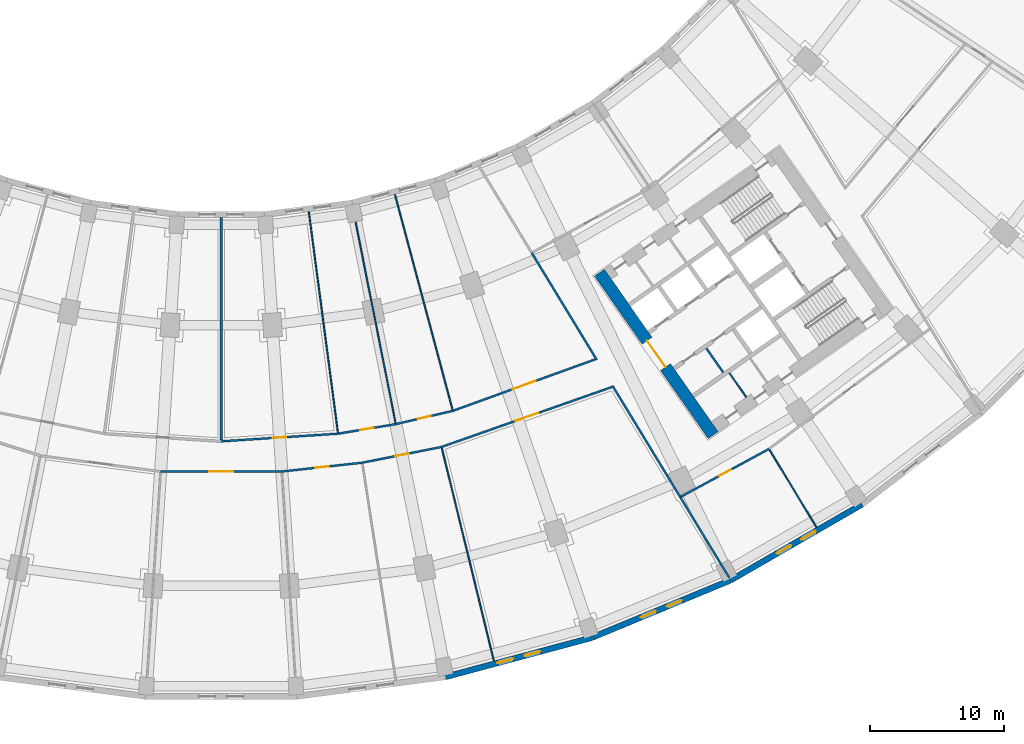
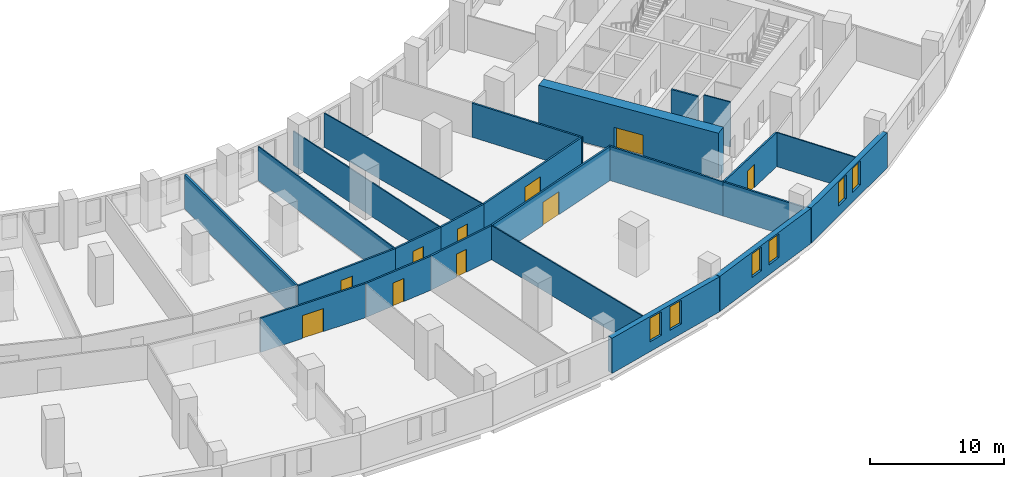
# One storey, part 9 of 20: 24 walls, 10 doors, 6 windows, 16 openings.
"""IFC4 building model written with IfcOpenShell, lengths in metres."""

from ifc_helpers import new_model, si_unit, direction, frame, frame_2d, origin, place, context, subcontext, project, spatial, rectangle, extrude, material, layer, layer_set, type_object, element, fill, save


model = new_model("IFC4")

# Units and contexts
model_context = context("Model", 3, precision=1e-05, world=origin(), true_north=direction((0.0, 1.0)))
body_context = subcontext(model_context, "Body", "Model", "MODEL_VIEW")
ifc_project = project(units=[si_unit("LENGTHUNIT", "METRE"), si_unit("AREAUNIT", "SQUARE_METRE"), si_unit("VOLUMEUNIT", "CUBIC_METRE"), si_unit("PLANEANGLEUNIT", "RADIAN"), si_unit("MASSUNIT", "GRAM", prefix="KILO")], contexts=[model_context])

# Site, building, storey
site_placement = place(None, origin())
site = spatial("IfcSite", under=ifc_project, at=site_placement, CompositionType="ELEMENT")
building_placement = place(site_placement, origin())
building = spatial("IfcBuilding", under=site, at=building_placement, Name="Qamariyya Broadcast Tower", CompositionType="ELEMENT")
storey_placement = place(building_placement, frame((0.0, 0.0, 27.0)))
storey = spatial("IfcBuildingStorey", under=building, at=storey_placement, Name="L03", CompositionType="ELEMENT", Elevation=27.0)

# Wall, opening, door
ifc_material_1 = material(Name="Concrete C70/85", Category="concrete")
ifc_layer_1 = layer(ifc_material_1, 0.89990234375)
ifc_layer_set_1 = layer_set([ifc_layer_1], Name="Core wall 900 mm Concrete C70/85")
wall_type_1 = type_object("IfcWallType", Name="Core wall 900 mm Concrete C70/85", PredefinedType="SHEAR", material=ifc_layer_set_1)
wall_1_placement = place(storey_placement, frame((36.716796875, -66.3369140625, 0.0), z_axis=(0.0, 0.0, 1.0), x_axis=(-0.573577477574, 0.819151315216, 0.0)))
wall_1 = element("IfcWall", 1, at=wall_1_placement, inside=storey, type_object=wall_type_1, Name="k-E-L03-WA", PredefinedType="SHEAR", context=body_context, shape_type="SweptSolid", body=[
    extrude(rectangle(XDim=14.800048828125, YDim=0.89990234375, at=frame_2d((7.39990234375, 0.0))), origin(), (0.0, 0.0, 1.0), 4.10009765625),
])
opening_1_placement = place(wall_1_placement, frame((6.199951171875, 0.0, 0.0)))
opening_1 = element("IfcOpeningElement", 2, at=opening_1_placement, cuts=wall_1, Name="Opening KD3-E1", PredefinedType="OPENING", context=body_context, shape_type="SweptSolid", body=[
    extrude(rectangle(XDim=2.39990234375, YDim=2.10009765625, at=frame_2d((1.199951171875, 1.050048828125))), frame((0.0, 0.4599609375, 0.0), z_axis=(0.0, -1.0, 0.0), x_axis=(1.0, 0.0, 0.0)), (0.0, 0.0, 1.0), 0.919921875),
])
ifc_material_2 = material(Name="Steel fire-resisting door leaf", Category="steel")
door_type_1 = type_object("IfcDoorType", Name="Lift lobby door KD3", OperationType="DOUBLE_DOOR_SINGLE_SWING", PredefinedType="DOOR", material=ifc_material_2)
door_1_placement = place(opening_1_placement, origin())
door_1 = element("IfcDoor", 3, at=door_1_placement, inside=storey, type_object=door_type_1, Name="k-E-L03-WA-D1", OperationType="DOUBLE_DOOR_SINGLE_SWING", OverallHeight=2.10009765625, OverallWidth=2.39990234375, PredefinedType="DOOR", context=body_context, shape_type="SweptSolid", body=[
    extrude(rectangle(XDim=2.39990234375, YDim=2.10009765625, at=frame_2d((1.199951171875, 1.050048828125))), frame((0.0, 0.02490234375, 0.0), z_axis=(0.0, -1.0, 0.0), x_axis=(1.0, 0.0, 0.0)), (0.0, 0.0, 1.0), 0.050048828125),
])
fill(opening_1, door_1)

ifc_material_3 = material(Name="Gypsum board partition")
ifc_layer_2 = layer(ifc_material_3, 0.14990234375)
ifc_layer_set_2 = layer_set([ifc_layer_2], Name="Corridor partition 150 EI 60")
wall_type_2 = type_object("IfcWallType", Name="Corridor partition 150 EI 60", PredefinedType="PARTITIONING", material=ifc_layer_set_2)
wall_2_placement = place(storey_placement, frame((4.52587890625, -69.0517578125, 0.0), z_axis=(0.0, 0.0, 1.0), x_axis=(-1.0, 0.0, 0.0)))
wall_2 = element("IfcWall", 4, at=wall_2_placement, inside=storey, type_object=wall_type_2, Name="Partition L03-033", PredefinedType="PARTITIONING", context=body_context, shape_type="SweptSolid", body=[
    extrude(rectangle(XDim=9.0517578125, YDim=0.14990234375, at=frame_2d((4.52587890625, 0.0))), origin(), (0.0, 0.0, 1.0), 3.10009765625),
])
opening_2_placement = place(wall_2_placement, frame((3.6259765625, 0.0, 0.0)))
opening_2 = element("IfcOpeningElement", 5, at=opening_2_placement, cuts=wall_2, Name="Opening L03-D04", PredefinedType="OPENING", context=body_context, shape_type="SweptSolid", body=[
    extrude(rectangle(XDim=1.800048828125, YDim=2.10009765625, at=frame_2d((0.89990234375, 1.050048828125))), frame((0.0, 0.0849609375, 0.0), z_axis=(0.0, -1.0, 0.0), x_axis=(1.0, 0.0, 0.0)), (0.0, 0.0, 1.0), 0.169921875),
])
ifc_material_4 = material(Name="Timber fire door leaf", Category="wood")
door_type_2 = type_object("IfcDoorType", Name="Double fire door 1800 x 2100 FD60", OperationType="NOTDEFINED", PredefinedType="DOOR", material=ifc_material_4)
door_2_placement = place(opening_2_placement, origin())
door_2 = element("IfcDoor", 6, at=door_2_placement, inside=storey, type_object=door_type_2, Name="Door L03-D04", OperationType="DOUBLE_DOOR_SINGLE_SWING", OverallHeight=2.10009765625, OverallWidth=1.800048828125, PredefinedType="DOOR", context=body_context, shape_type="SweptSolid", body=[
    extrude(rectangle(XDim=1.800048828125, YDim=2.10009765625, at=frame_2d((0.89990234375, 1.050048828125))), frame((0.0, 0.02490234375, 0.0), z_axis=(0.0, -1.0, 0.0), x_axis=(1.0, 0.0, 0.0)), (0.0, 0.0, 1.0), 0.050048828125),
])
fill(opening_2, door_2)

wall_3_placement = place(storey_placement, frame((0.0, -66.800048828125, 0.0), z_axis=(0.0, 0.0, 1.0), x_axis=(0.997858593599, 0.065408158359, 0.0)))
wall_3 = element("IfcWall", 7, at=wall_3_placement, inside=storey, type_object=wall_type_2, Name="Partition L03-034", PredefinedType="PARTITIONING", context=body_context, shape_type="SweptSolid", body=[
    extrude(rectangle(XDim=8.738037109375, YDim=0.14990234375, at=frame_2d((4.369140625, 0.0))), origin(), (0.0, 0.0, 1.0), 3.10009765625),
])
opening_3_placement = place(wall_3_placement, frame((3.868896484375, 0.0, 0.0)))
opening_3 = element("IfcOpeningElement", 8, at=opening_3_placement, cuts=wall_3, Name="Opening L03-D11", PredefinedType="OPENING", context=body_context, shape_type="SweptSolid", body=[
    extrude(rectangle(XDim=1.0, YDim=2.10009765625, at=frame_2d((0.5, 1.050048828125))), frame((0.0, 0.0849609375, 0.0), z_axis=(0.0, -1.0, 0.0), x_axis=(1.0, 0.0, 0.0)), (0.0, 0.0, 1.0), 0.169921875),
])
door_type_3 = type_object("IfcDoorType", Name="Fire door 1000 x 2100 FD60", OperationType="NOTDEFINED", PredefinedType="DOOR", material=ifc_material_4)
door_3_placement = place(opening_3_placement, origin())
door_3 = element("IfcDoor", 9, at=door_3_placement, inside=storey, type_object=door_type_3, Name="Door L03-D11", OperationType="SINGLE_SWING_RIGHT", OverallHeight=2.10009765625, OverallWidth=1.0, PredefinedType="DOOR", context=body_context, shape_type="SweptSolid", body=[
    extrude(rectangle(XDim=1.0, YDim=2.10009765625, at=frame_2d((0.5, 1.050048828125))), frame((0.0, 0.02490234375, 0.0), z_axis=(0.0, -1.0, 0.0), x_axis=(1.0, 0.0, 0.0)), (0.0, 0.0, 1.0), 0.050048828125),
])
fill(opening_3, door_3)

wall_4_placement = place(storey_placement, frame((10.52880859375, -68.394287109375, 0.0), z_axis=(0.0, 0.0, 1.0), x_axis=(-0.994055567966, -0.108873907782, 0.0)))
wall_4 = element("IfcWall", 10, at=wall_4_placement, inside=storey, type_object=wall_type_2, Name="Partition L03-036", PredefinedType="PARTITIONING", context=body_context, shape_type="SweptSolid", body=[
    extrude(rectangle(XDim=6.038818359375, YDim=0.14990234375, at=frame_2d((3.01953125, 0.0))), origin(), (0.0, 0.0, 1.0), 3.10009765625),
])
opening_4_placement = place(wall_4_placement, frame((2.51953125, 0.0, 0.0)))
opening_4 = element("IfcOpeningElement", 11, at=opening_4_placement, cuts=wall_4, Name="Opening L03-D05", PredefinedType="OPENING", context=body_context, shape_type="SweptSolid", body=[
    extrude(rectangle(XDim=1.0, YDim=2.10009765625, at=frame_2d((0.5, 1.050048828125))), frame((0.0, 0.0849609375, 0.0), z_axis=(0.0, -1.0, 0.0), x_axis=(1.0, 0.0, 0.0)), (0.0, 0.0, 1.0), 0.169921875),
])
door_4_placement = place(opening_4_placement, origin())
door_4 = element("IfcDoor", 12, at=door_4_placement, inside=storey, type_object=door_type_3, Name="Door L03-D05", OperationType="SINGLE_SWING_RIGHT", OverallHeight=2.10009765625, OverallWidth=1.0, PredefinedType="DOOR", context=body_context, shape_type="SweptSolid", body=[
    extrude(rectangle(XDim=1.0, YDim=2.10009765625, at=frame_2d((0.5, 1.050048828125))), frame((0.0, 0.02490234375, 0.0), z_axis=(0.0, -1.0, 0.0), x_axis=(1.0, 0.0, 0.0)), (0.0, 0.0, 1.0), 0.050048828125),
])
fill(opening_4, door_4)

wall_5_placement = place(storey_placement, frame((8.71923828125, -66.228515625, 0.0), z_axis=(0.0, 0.0, 1.0), x_axis=(0.986638873051, 0.162922479065, 0.0)))
wall_5 = element("IfcWall", 13, at=wall_5_placement, inside=storey, type_object=wall_type_2, Name="Partition L03-039", PredefinedType="PARTITIONING", context=body_context, shape_type="SweptSolid", body=[
    extrude(rectangle(XDim=4.37109375, YDim=0.14990234375, at=frame_2d((2.185546875, 0.0))), origin(), (0.0, 0.0, 1.0), 3.10009765625),
])
opening_5_placement = place(wall_5_placement, frame((1.685546875, 0.0, 0.0)))
opening_5 = element("IfcOpeningElement", 14, at=opening_5_placement, cuts=wall_5, Name="Opening L03-D12", PredefinedType="OPENING", context=body_context, shape_type="SweptSolid", body=[
    extrude(rectangle(XDim=1.0, YDim=2.10009765625, at=frame_2d((0.5, 1.050048828125))), frame((0.0, 0.0849609375, 0.0), z_axis=(0.0, -1.0, 0.0), x_axis=(1.0, 0.0, 0.0)), (0.0, 0.0, 1.0), 0.169921875),
])
door_5_placement = place(opening_5_placement, origin())
door_5 = element("IfcDoor", 15, at=door_5_placement, inside=storey, type_object=door_type_3, Name="Door L03-D12", OperationType="SINGLE_SWING_RIGHT", OverallHeight=2.10009765625, OverallWidth=1.0, PredefinedType="DOOR", context=body_context, shape_type="SweptSolid", body=[
    extrude(rectangle(XDim=1.0, YDim=2.10009765625, at=frame_2d((0.5, 1.050048828125))), frame((0.0, 0.02490234375, 0.0), z_axis=(0.0, -1.0, 0.0), x_axis=(1.0, 0.0, 0.0)), (0.0, 0.0, 1.0), 0.050048828125),
])
fill(opening_5, door_5)

wall_6_placement = place(storey_placement, frame((16.446044921875, -67.21728515625, 0.0), z_axis=(0.0, 0.0, 1.0), x_axis=(-0.980785582749, -0.195088802015, 0.0)))
wall_6 = element("IfcWall", 16, at=wall_6_placement, inside=storey, type_object=wall_type_2, Name="Partition L03-041", PredefinedType="PARTITIONING", context=body_context, shape_type="SweptSolid", body=[
    extrude(rectangle(XDim=6.033203125, YDim=0.14990234375, at=frame_2d((3.0166015625, 0.0))), origin(), (0.0, 0.0, 1.0), 3.10009765625),
])
opening_6_placement = place(wall_6_placement, frame((2.5166015625, 0.0, 0.0)))
opening_6 = element("IfcOpeningElement", 17, at=opening_6_placement, cuts=wall_6, Name="Opening L03-D06", PredefinedType="OPENING", context=body_context, shape_type="SweptSolid", body=[
    extrude(rectangle(XDim=1.0, YDim=2.10009765625, at=frame_2d((0.5, 1.050048828125))), frame((0.0, 0.0849609375, 0.0), z_axis=(0.0, -1.0, 0.0), x_axis=(1.0, 0.0, 0.0)), (0.0, 0.0, 1.0), 0.169921875),
])
door_6_placement = place(opening_6_placement, origin())
door_6 = element("IfcDoor", 18, at=door_6_placement, inside=storey, type_object=door_type_3, Name="Door L03-D06", OperationType="SINGLE_SWING_RIGHT", OverallHeight=2.10009765625, OverallWidth=1.0, PredefinedType="DOOR", context=body_context, shape_type="SweptSolid", body=[
    extrude(rectangle(XDim=1.0, YDim=2.10009765625, at=frame_2d((0.5, 1.050048828125))), frame((0.0, 0.02490234375, 0.0), z_axis=(0.0, -1.0, 0.0), x_axis=(1.0, 0.0, 0.0)), (0.0, 0.0, 1.0), 0.050048828125),
])
fill(opening_6, door_6)

wall_7_placement = place(storey_placement, frame((13.031982421875, -65.516357421875, 0.0), z_axis=(0.0, 0.0, 1.0), x_axis=(0.973886095728, 0.227037161159, 0.0)))
wall_7 = element("IfcWall", 19, at=wall_7_placement, inside=storey, type_object=wall_type_2, Name="Partition L03-043", PredefinedType="PARTITIONING", context=body_context, shape_type="SweptSolid", body=[
    extrude(rectangle(XDim=4.371337890625, YDim=0.14990234375, at=frame_2d((2.185546875, 0.0))), origin(), (0.0, 0.0, 1.0), 3.10009765625),
])
opening_7_placement = place(wall_7_placement, frame((1.685546875, 0.0, 0.0)))
opening_7 = element("IfcOpeningElement", 20, at=opening_7_placement, cuts=wall_7, Name="Opening L03-D13", PredefinedType="OPENING", context=body_context, shape_type="SweptSolid", body=[
    extrude(rectangle(XDim=1.0, YDim=2.10009765625, at=frame_2d((0.5, 1.050048828125))), frame((0.0, 0.0849609375, 0.0), z_axis=(0.0, -1.0, 0.0), x_axis=(1.0, 0.0, 0.0)), (0.0, 0.0, 1.0), 0.169921875),
])
door_7_placement = place(opening_7_placement, origin())
door_7 = element("IfcDoor", 21, at=door_7_placement, inside=storey, type_object=door_type_3, Name="Door L03-D13", OperationType="SINGLE_SWING_RIGHT", OverallHeight=2.10009765625, OverallWidth=1.0, PredefinedType="DOOR", context=body_context, shape_type="SweptSolid", body=[
    extrude(rectangle(XDim=1.0, YDim=2.10009765625, at=frame_2d((0.5, 1.050048828125))), frame((0.0, 0.02490234375, 0.0), z_axis=(0.0, -1.0, 0.0), x_axis=(1.0, 0.0, 0.0)), (0.0, 0.0, 1.0), 0.050048828125),
])
fill(opening_7, door_7)

wall_8_placement = place(storey_placement, frame((29.174560546875, -62.7412109375, 0.0), z_axis=(0.0, 0.0, 1.0), x_axis=(-0.94336986797, -0.33174281033, 0.0)))
wall_8 = element("IfcWall", 22, at=wall_8_placement, inside=storey, type_object=wall_type_2, Name="Partition L03-045", PredefinedType="PARTITIONING", context=body_context, shape_type="SweptSolid", body=[
    extrude(rectangle(XDim=13.49267578125, YDim=0.14990234375, at=frame_2d((6.746337890625, 0.0))), origin(), (0.0, 0.0, 1.0), 3.10009765625),
])
opening_8_placement = place(wall_8_placement, frame((5.846435546875, 0.0, 0.0)))
opening_8 = element("IfcOpeningElement", 23, at=opening_8_placement, cuts=wall_8, Name="Opening L03-D07", PredefinedType="OPENING", context=body_context, shape_type="SweptSolid", body=[
    extrude(rectangle(XDim=1.800048828125, YDim=2.10009765625, at=frame_2d((0.89990234375, 1.050048828125))), frame((0.0, 0.0849609375, 0.0), z_axis=(0.0, -1.0, 0.0), x_axis=(1.0, 0.0, 0.0)), (0.0, 0.0, 1.0), 0.169921875),
])
door_8_placement = place(opening_8_placement, origin())
door_8 = element("IfcDoor", 24, at=door_8_placement, inside=storey, type_object=door_type_2, Name="Door L03-D07", OperationType="DOUBLE_DOOR_SINGLE_SWING", OverallHeight=2.10009765625, OverallWidth=1.800048828125, PredefinedType="DOOR", context=body_context, shape_type="SweptSolid", body=[
    extrude(rectangle(XDim=1.800048828125, YDim=2.10009765625, at=frame_2d((0.89990234375, 1.050048828125))), frame((0.0, 0.02490234375, 0.0), z_axis=(0.0, -1.0, 0.0), x_axis=(1.0, 0.0, 0.0)), (0.0, 0.0, 1.0), 0.050048828125),
])
fill(opening_8, door_8)

wall_9_placement = place(storey_placement, frame((17.2890625, -64.52392578125, 0.0), z_axis=(0.0, 0.0, 1.0), x_axis=(0.940369024046, 0.340155991589, 0.0)))
wall_9 = element("IfcWall", 25, at=wall_9_placement, inside=storey, type_object=wall_type_2, Name="Partition L03-046", PredefinedType="PARTITIONING", context=body_context, shape_type="SweptSolid", body=[
    extrude(rectangle(XDim=11.304931640625, YDim=0.14990234375, at=frame_2d((5.65234375, 0.0))), origin(), (0.0, 0.0, 1.0), 3.10009765625),
])
opening_9_placement = place(wall_9_placement, frame((4.75244140625, 0.0, 0.0)))
opening_9 = element("IfcOpeningElement", 26, at=opening_9_placement, cuts=wall_9, Name="Opening L03-D14", PredefinedType="OPENING", context=body_context, shape_type="SweptSolid", body=[
    extrude(rectangle(XDim=1.800048828125, YDim=2.10009765625, at=frame_2d((0.89990234375, 1.050048828125))), frame((0.0, 0.0849609375, 0.0), z_axis=(0.0, -1.0, 0.0), x_axis=(1.0, 0.0, 0.0)), (0.0, 0.0, 1.0), 0.169921875),
])
door_9_placement = place(opening_9_placement, origin())
door_9 = element("IfcDoor", 27, at=door_9_placement, inside=storey, type_object=door_type_2, Name="Door L03-D14", OperationType="DOUBLE_DOOR_SINGLE_SWING", OverallHeight=2.10009765625, OverallWidth=1.800048828125, PredefinedType="DOOR", context=body_context, shape_type="SweptSolid", body=[
    extrude(rectangle(XDim=1.800048828125, YDim=2.10009765625, at=frame_2d((0.89990234375, 1.050048828125))), frame((0.0, 0.02490234375, 0.0), z_axis=(0.0, -1.0, 0.0), x_axis=(1.0, 0.0, 0.0)), (0.0, 0.0, 1.0), 0.050048828125),
])
fill(opening_9, door_9)

# Walls
wall_10_placement = place(storey_placement, frame((23.174072265625, -52.732421875, 0.0), z_axis=(0.0, 0.0, 1.0), x_axis=(0.519577254173, -0.854423476355, 0.0)))
element("IfcWall", 28, at=wall_10_placement, inside=storey, type_object=wall_type_2, Name="Partition L03-049", PredefinedType="PARTITIONING", context=body_context, shape_type="SweptSolid", body=[
    extrude(rectangle(XDim=9.344970703125, YDim=0.14990234375, at=frame_2d((4.67236328125, 0.0))), origin(), (0.0, 0.0, 1.0), 3.10009765625),
])
wall_11_placement = place(storey_placement, frame((29.20654296875, -62.65234375, 0.0), z_axis=(0.0, 0.0, 1.0), x_axis=(0.519573423316, -0.854425805897, 0.0)))
element("IfcWall", 29, at=wall_11_placement, inside=storey, type_object=wall_type_2, Name="Partition L03-052", PredefinedType="PARTITIONING", context=body_context, shape_type="SweptSolid", body=[
    extrude(rectangle(XDim=9.72607421875, YDim=0.14990234375, at=frame_2d((4.863037109375, 0.0))), origin(), (0.0, 0.0, 1.0), 3.10009765625),
])
wall_12_placement = place(storey_placement, frame((34.260009765625, -70.962646484375, 0.0), z_axis=(0.0, 0.0, 1.0), x_axis=(0.519582317334, -0.854420397412, 0.0)))
element("IfcWall", 30, at=wall_12_placement, inside=storey, type_object=wall_type_2, Name="Partition L03-054", PredefinedType="PARTITIONING", context=body_context, shape_type="SweptSolid", body=[
    extrude(rectangle(XDim=7.03173828125, YDim=0.14990234375, at=frame_2d((3.515869140625, 0.0))), origin(), (0.0, 0.0, 1.0), 3.10009765625),
])

# Wall, opening, door
wall_13_placement = place(storey_placement, frame((40.881103515625, -67.365966796875, 0.0), z_axis=(0.0, 0.0, 1.0), x_axis=(-0.87872597875, -0.477326569835, 0.0)))
wall_13 = element("IfcWall", 31, at=wall_13_placement, inside=storey, type_object=wall_type_2, Name="Partition L03-055", PredefinedType="PARTITIONING", context=body_context, shape_type="SweptSolid", body=[
    extrude(rectangle(XDim=7.4599609375, YDim=0.14990234375, at=frame_2d((3.72998046875, 0.0))), origin(), (0.0, 0.0, 1.0), 3.10009765625),
])
opening_10_placement = place(wall_13_placement, frame((3.22998046875, 0.0, 0.0)))
opening_10 = element("IfcOpeningElement", 32, at=opening_10_placement, cuts=wall_13, Name="Opening L03-D25", PredefinedType="OPENING", context=body_context, shape_type="SweptSolid", body=[
    extrude(rectangle(XDim=1.0, YDim=2.10009765625, at=frame_2d((0.5, 1.050048828125))), frame((0.0, 0.0849609375, 0.0), z_axis=(0.0, -1.0, 0.0), x_axis=(1.0, 0.0, 0.0)), (0.0, 0.0, 1.0), 0.169921875),
])
door_10_placement = place(opening_10_placement, origin())
door_10 = element("IfcDoor", 33, at=door_10_placement, inside=storey, type_object=door_type_3, Name="Door L03-D25", OperationType="SINGLE_SWING_RIGHT", OverallHeight=2.10009765625, OverallWidth=1.0, PredefinedType="DOOR", context=body_context, shape_type="SweptSolid", body=[
    extrude(rectangle(XDim=1.0, YDim=2.10009765625, at=frame_2d((0.5, 1.050048828125))), frame((0.0, 0.02490234375, 0.0), z_axis=(0.0, -1.0, 0.0), x_axis=(1.0, 0.0, 0.0)), (0.0, 0.0, 1.0), 0.050048828125),
])
fill(opening_10, door_10)

# Walls
ifc_material_5 = material(Name="Gypsum board partition on steel studs", Category="steel")
ifc_layer_3 = layer(ifc_material_5, 0.14990234375)
ifc_layer_set_3 = layer_set([ifc_layer_3], Name="Gypsum board partition 150 mm")
wall_type_3 = type_object("IfcWallType", Name="Gypsum board partition 150 mm", PredefinedType="PARTITIONING", material=ifc_layer_set_3)
wall_14_placement = place(storey_placement, frame((36.2080078125, -59.85693359375, 0.0), z_axis=(0.0, 0.0, 1.0), x_axis=(0.573581496053, -0.819148501424, 0.0)))
element("IfcWall", 34, at=wall_14_placement, inside=storey, type_object=wall_type_3, Name="k-E-L03-SC285", PredefinedType="PARTITIONING", context=body_context, shape_type="SweptSolid", body=[
    extrude(rectangle(XDim=2.2001953125, YDim=0.14990234375, at=frame_2d((1.10009765625, 0.0))), origin(), (0.0, 0.0, 1.0), 4.10009765625),
])
ifc_layer_4 = layer(ifc_material_3, 0.10009765625)
ifc_layer_set_4 = layer_set([ifc_layer_4], Name="Partition 100")
wall_type_4 = type_object("IfcWallType", Name="Partition 100", PredefinedType="PARTITIONING", material=ifc_layer_set_4)
wall_15_placement = place(storey_placement, frame((6.53857421875, -49.6650390625, 0.0), z_axis=(0.0, 0.0, 1.0), x_axis=(0.130530838014, -0.991444249732, 0.0)))
element("IfcWall", 35, at=wall_15_placement, inside=storey, type_object=wall_type_4, Name="Partition L03-038", PredefinedType="PARTITIONING", context=body_context, shape_type="SweptSolid", body=[
    extrude(rectangle(XDim=16.63134765625, YDim=0.10009765625, at=frame_2d((8.315673828125, 0.0))), origin(), (0.0, 0.0, 1.0), 3.10009765625),
])
wall_16_placement = place(storey_placement, frame((9.79345703125, -49.2353515625, 0.0), z_axis=(0.0, 0.0, 1.0), x_axis=(0.195090372882, -0.980785270285, 0.0)))
element("IfcWall", 36, at=wall_16_placement, inside=storey, type_object=wall_type_4, Name="Partition L03-040", PredefinedType="PARTITIONING", context=body_context, shape_type="SweptSolid", body=[
    extrude(rectangle(XDim=16.525146484375, YDim=0.10009765625, at=frame_2d((8.2626953125, 0.0))), origin(), (0.0, 0.0, 1.0), 3.10009765625),
])
wall_17_placement = place(storey_placement, frame((12.965087890625, -48.386474609375, 0.0), z_axis=(0.0, 0.0, 1.0), x_axis=(0.258824622624, -0.965924331779, 0.0)))
element("IfcWall", 37, at=wall_17_placement, inside=storey, type_object=wall_type_4, Name="Partition L03-042", PredefinedType="PARTITIONING", context=body_context, shape_type="SweptSolid", body=[
    extrude(rectangle(XDim=16.631591796875, YDim=0.10009765625, at=frame_2d((8.31591796875, 0.0))), origin(), (0.0, 0.0, 1.0), 3.10009765625),
])
wall_18_placement = place(storey_placement, frame((20.35205078125, -83.182373046875, 0.0), z_axis=(0.0, 0.0, 1.0), x_axis=(-0.23765209547, 0.971350339228, 0.0)))
element("IfcWall", 38, at=wall_18_placement, inside=storey, type_object=wall_type_4, Name="Partition L03-048", PredefinedType="PARTITIONING", context=body_context, shape_type="SweptSolid", body=[
    extrude(rectangle(XDim=16.36083984375, YDim=0.10009765625, at=frame_2d((8.180419921875, 0.0))), origin(), (0.0, 0.0, 1.0), 3.10009765625),
])
wall_19_placement = place(storey_placement, frame((44.427734375, -73.2099609375, 0.0), z_axis=(0.0, 0.0, 1.0), x_axis=(-0.518790606157, 0.85490134341, 0.0)))
element("IfcWall", 39, at=wall_19_placement, inside=storey, type_object=wall_type_4, Name="Partition L03-059", PredefinedType="PARTITIONING", context=body_context, shape_type="SweptSolid", body=[
    extrude(rectangle(XDim=6.760986328125, YDim=0.10009765625, at=frame_2d((3.38037109375, 0.0))), origin(), (0.0, 0.0, 1.0), 3.10009765625),
])

# Wall, openings, windows
ifc_material_6 = material(Name="Precast concrete C40/50 with terracotta facing", Category="masonry")
ifc_layer_5 = layer(ifc_material_6, 0.449951171875)
ifc_layer_set_5 = layer_set([ifc_layer_5], Name="Precast concrete C40/50 wall 450, terracotta faced")
wall_type_5 = type_object("IfcWallType", Name="Precast concrete C40/50 wall 450, terracotta faced", PredefinedType="SOLIDWALL", material=ifc_layer_set_5)
wall_20_placement = place(storey_placement, frame((16.753662109375, -84.37939453125, 0.0), z_axis=(0.0, 0.0, 1.0), x_axis=(0.965923678926, 0.258827059038, 0.0)))
wall_20 = element("IfcWall", 40, at=wall_20_placement, inside=storey, type_object=wall_type_5, Name="e-wl-L03-out120", PredefinedType="SOLIDWALL", context=body_context, shape_type="SweptSolid", body=[
    extrude(rectangle(XDim=11.3125, YDim=0.449951171875, at=frame_2d((5.65625, 0.0))), origin(), (0.0, 0.0, 1.0), 3.199951171875),
])
opening_11_placement = place(wall_20_placement, frame((4.00634765625, 0.0, 0.89990234375)))
opening_11 = element("IfcOpeningElement", 41, at=opening_11_placement, cuts=wall_20, Name="Opening W3", PredefinedType="OPENING", context=body_context, shape_type="SweptSolid", body=[
    extrude(rectangle(XDim=1.199951171875, YDim=2.14990234375, at=frame_2d((0.60009765625, 1.074951171875))), frame((0.0, 0.23486328125, 0.0), z_axis=(0.0, -1.0, 0.0), x_axis=(1.0, 0.0, 0.0)), (0.0, 0.0, 1.0), 0.469970703125),
])
opening_12_placement = place(wall_20_placement, frame((6.106201171875, 0.0, 0.89990234375)))
opening_12 = element("IfcOpeningElement", 42, at=opening_12_placement, cuts=wall_20, Name="Opening W3", PredefinedType="OPENING", context=body_context, shape_type="SweptSolid", body=[
    extrude(rectangle(XDim=1.199951171875, YDim=2.14990234375, at=frame_2d((0.60009765625, 1.074951171875))), frame((0.0, 0.23486328125, 0.0), z_axis=(0.0, -1.0, 0.0), x_axis=(1.0, 0.0, 0.0)), (0.0, 0.0, 1.0), 0.469970703125),
])
ifc_material_7 = material(Name="Clear low-e double glazed unit in aluminium frame", Category="aluminium")
window_type = type_object("IfcWindowType", Name="Podium window 1200 x 2150", PartitioningType="SINGLE_PANEL", PredefinedType="WINDOW", material=ifc_material_7)
window_1_placement = place(opening_11_placement, origin())
window_1 = element("IfcWindow", 43, at=window_1_placement, inside=storey, type_object=window_type, Name="e-w-L03-out12a", OverallHeight=2.14990234375, OverallWidth=1.199951171875, PartitioningType="SINGLE_PANEL", PredefinedType="WINDOW", context=body_context, shape_type="SweptSolid", body=[
    extrude(rectangle(XDim=1.199951171875, YDim=2.14990234375, at=frame_2d((0.60009765625, 1.074951171875))), frame((0.0, 0.030029296875, 0.0), z_axis=(0.0, -1.0, 0.0), x_axis=(1.0, 0.0, 0.0)), (0.0, 0.0, 1.0), 0.06005859375),
])
fill(opening_11, window_1)
window_2_placement = place(opening_12_placement, origin())
window_2 = element("IfcWindow", 44, at=window_2_placement, inside=storey, type_object=window_type, Name="e-w-L03-out12b", OverallHeight=2.14990234375, OverallWidth=1.199951171875, PartitioningType="SINGLE_PANEL", PredefinedType="WINDOW", context=body_context, shape_type="SweptSolid", body=[
    extrude(rectangle(XDim=1.199951171875, YDim=2.14990234375, at=frame_2d((0.60009765625, 1.074951171875))), frame((0.0, 0.030029296875, 0.0), z_axis=(0.0, -1.0, 0.0), x_axis=(1.0, 0.0, 0.0)), (0.0, 0.0, 1.0), 0.06005859375),
])
fill(opening_12, window_2)

wall_21_placement = place(storey_placement, frame((27.7060546875, -81.436767578125, 0.0), z_axis=(0.0, 0.0, 1.0), x_axis=(0.923874126662, 0.382696482978, 0.0)))
wall_21 = element("IfcWall", 45, at=wall_21_placement, inside=storey, type_object=wall_type_5, Name="e-wl-L03-out130", PredefinedType="SOLIDWALL", context=body_context, shape_type="SweptSolid", body=[
    extrude(rectangle(XDim=11.134765625, YDim=0.449951171875, at=frame_2d((5.5673828125, 0.0))), origin(), (0.0, 0.0, 1.0), 3.199951171875),
])
opening_13_placement = place(wall_21_placement, frame((3.917236328125, 0.0, 0.89990234375)))
opening_13 = element("IfcOpeningElement", 46, at=opening_13_placement, cuts=wall_21, Name="Opening W3", PredefinedType="OPENING", context=body_context, shape_type="SweptSolid", body=[
    extrude(rectangle(XDim=1.199951171875, YDim=2.14990234375, at=frame_2d((0.60009765625, 1.074951171875))), frame((0.0, 0.23486328125, 0.0), z_axis=(0.0, -1.0, 0.0), x_axis=(1.0, 0.0, 0.0)), (0.0, 0.0, 1.0), 0.469970703125),
])
opening_14_placement = place(wall_21_placement, frame((6.017333984375, 0.0, 0.89990234375)))
opening_14 = element("IfcOpeningElement", 47, at=opening_14_placement, cuts=wall_21, Name="Opening W3", PredefinedType="OPENING", context=body_context, shape_type="SweptSolid", body=[
    extrude(rectangle(XDim=1.199951171875, YDim=2.14990234375, at=frame_2d((0.60009765625, 1.074951171875))), frame((0.0, 0.23486328125, 0.0), z_axis=(0.0, -1.0, 0.0), x_axis=(1.0, 0.0, 0.0)), (0.0, 0.0, 1.0), 0.469970703125),
])
window_3_placement = place(opening_13_placement, origin())
window_3 = element("IfcWindow", 48, at=window_3_placement, inside=storey, type_object=window_type, Name="e-w-L03-out13a", OverallHeight=2.14990234375, OverallWidth=1.199951171875, PartitioningType="SINGLE_PANEL", PredefinedType="WINDOW", context=body_context, shape_type="SweptSolid", body=[
    extrude(rectangle(XDim=1.199951171875, YDim=2.14990234375, at=frame_2d((0.60009765625, 1.074951171875))), frame((0.0, 0.030029296875, 0.0), z_axis=(0.0, -1.0, 0.0), x_axis=(1.0, 0.0, 0.0)), (0.0, 0.0, 1.0), 0.06005859375),
])
fill(opening_13, window_3)
window_4_placement = place(opening_14_placement, origin())
window_4 = element("IfcWindow", 49, at=window_4_placement, inside=storey, type_object=window_type, Name="e-w-L03-out13b", OverallHeight=2.14990234375, OverallWidth=1.199951171875, PartitioningType="SINGLE_PANEL", PredefinedType="WINDOW", context=body_context, shape_type="SweptSolid", body=[
    extrude(rectangle(XDim=1.199951171875, YDim=2.14990234375, at=frame_2d((0.60009765625, 1.074951171875))), frame((0.0, 0.030029296875, 0.0), z_axis=(0.0, -1.0, 0.0), x_axis=(1.0, 0.0, 0.0)), (0.0, 0.0, 1.0), 0.06005859375),
])
fill(opening_14, window_4)

wall_22_placement = place(storey_placement, frame((38.021728515625, -77.16796875, 0.0), z_axis=(0.0, 0.0, 1.0), x_axis=(0.866024577697, 0.500001430823, 0.0)))
wall_22 = element("IfcWall", 50, at=wall_22_placement, inside=storey, type_object=wall_type_5, Name="e-wl-L03-out140", PredefinedType="SOLIDWALL", context=body_context, shape_type="SweptSolid", body=[
    extrude(rectangle(XDim=11.3125, YDim=0.449951171875, at=frame_2d((5.65625, 0.0))), origin(), (0.0, 0.0, 1.0), 3.199951171875),
])
opening_15_placement = place(wall_22_placement, frame((4.00634765625, 0.0, 0.89990234375)))
opening_15 = element("IfcOpeningElement", 51, at=opening_15_placement, cuts=wall_22, Name="Opening W3", PredefinedType="OPENING", context=body_context, shape_type="SweptSolid", body=[
    extrude(rectangle(XDim=1.199951171875, YDim=2.14990234375, at=frame_2d((0.60009765625, 1.074951171875))), frame((0.0, 0.23486328125, 0.0), z_axis=(0.0, -1.0, 0.0), x_axis=(1.0, 0.0, 0.0)), (0.0, 0.0, 1.0), 0.469970703125),
])
opening_16_placement = place(wall_22_placement, frame((6.106201171875, 0.0, 0.89990234375)))
opening_16 = element("IfcOpeningElement", 52, at=opening_16_placement, cuts=wall_22, Name="Opening W3", PredefinedType="OPENING", context=body_context, shape_type="SweptSolid", body=[
    extrude(rectangle(XDim=1.199951171875, YDim=2.14990234375, at=frame_2d((0.60009765625, 1.074951171875))), frame((0.0, 0.23486328125, 0.0), z_axis=(0.0, -1.0, 0.0), x_axis=(1.0, 0.0, 0.0)), (0.0, 0.0, 1.0), 0.469970703125),
])
window_5_placement = place(opening_15_placement, origin())
window_5 = element("IfcWindow", 53, at=window_5_placement, inside=storey, type_object=window_type, Name="e-w-L03-out14a", OverallHeight=2.14990234375, OverallWidth=1.199951171875, PartitioningType="SINGLE_PANEL", PredefinedType="WINDOW", context=body_context, shape_type="SweptSolid", body=[
    extrude(rectangle(XDim=1.199951171875, YDim=2.14990234375, at=frame_2d((0.60009765625, 1.074951171875))), frame((0.0, 0.030029296875, 0.0), z_axis=(0.0, -1.0, 0.0), x_axis=(1.0, 0.0, 0.0)), (0.0, 0.0, 1.0), 0.06005859375),
])
fill(opening_15, window_5)
window_6_placement = place(opening_16_placement, origin())
window_6 = element("IfcWindow", 54, at=window_6_placement, inside=storey, type_object=window_type, Name="e-w-L03-out14b", OverallHeight=2.14990234375, OverallWidth=1.199951171875, PartitioningType="SINGLE_PANEL", PredefinedType="WINDOW", context=body_context, shape_type="SweptSolid", body=[
    extrude(rectangle(XDim=1.199951171875, YDim=2.14990234375, at=frame_2d((0.60009765625, 1.074951171875))), frame((0.0, 0.030029296875, 0.0), z_axis=(0.0, -1.0, 0.0), x_axis=(1.0, 0.0, 0.0)), (0.0, 0.0, 1.0), 0.06005859375),
])
fill(opening_16, window_6)

# Walls
ifc_material_8 = material(Name="Fire-rated gypsum shaft liner on steel studs", Category="steel")
ifc_layer_6 = layer(ifc_material_8, 0.10009765625)
ifc_layer_set_6 = layer_set([ifc_layer_6], Name="Riser wall 100 mm")
wall_type_6 = type_object("IfcWallType", Name="Riser wall 100 mm", PredefinedType="PLUMBINGWALL", material=ifc_layer_set_6)
wall_23_placement = place(storey_placement, frame((37.9287109375, -61.7041015625, 0.0), z_axis=(0.0, 0.0, 1.0), x_axis=(0.573559170999, -0.819164133348, 0.0)))
element("IfcWall", 55, at=wall_23_placement, inside=storey, type_object=wall_type_6, Name="k-E-L03-SP320", PredefinedType="PLUMBINGWALL", context=body_context, shape_type="SweptSolid", body=[
    extrude(rectangle(XDim=2.19970703125, YDim=0.10009765625, at=frame_2d((1.099853515625, 0.0))), origin(), (0.0, 0.0, 1.0), 4.10009765625),
])
ifc_layer_7 = layer(ifc_material_3, 0.179931640625)
ifc_layer_set_7 = layer_set([ifc_layer_7], Name="Studio acoustic partition 180 EI 60")
wall_type_7 = type_object("IfcWallType", Name="Studio acoustic partition 180 EI 60", PredefinedType="PARTITIONING", material=ifc_layer_set_7)
wall_24_placement = place(storey_placement, frame((0.0, -50.093505859375, 0.0), z_axis=(0.0, 0.0, 1.0), x_axis=(0.0, -1.0, 0.0)))
element("IfcWall", 56, at=wall_24_placement, inside=storey, type_object=wall_type_7, Name="Partition L03-035", PredefinedType="PARTITIONING", context=body_context, shape_type="SweptSolid", body=[
    extrude(rectangle(XDim=16.616455078125, YDim=0.179931640625, at=frame_2d((8.30810546875, 0.0))), origin(), (0.0, 0.0, 1.0), 3.10009765625),
])

save(model, "model.ifc")
